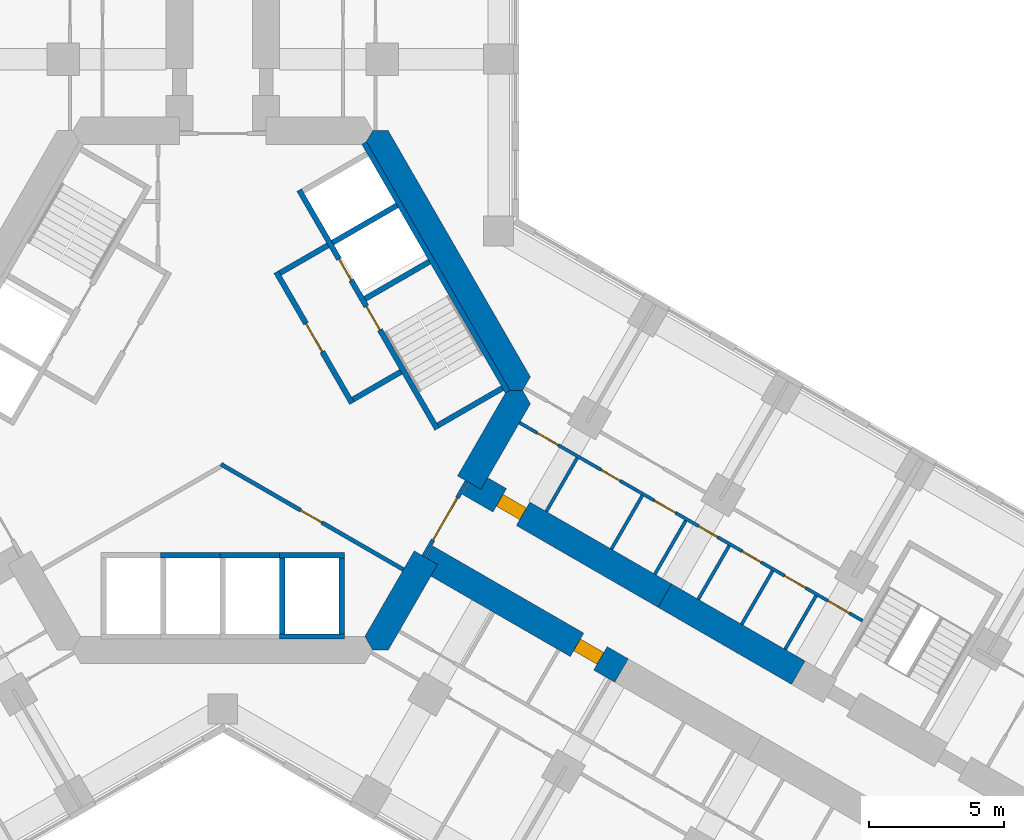
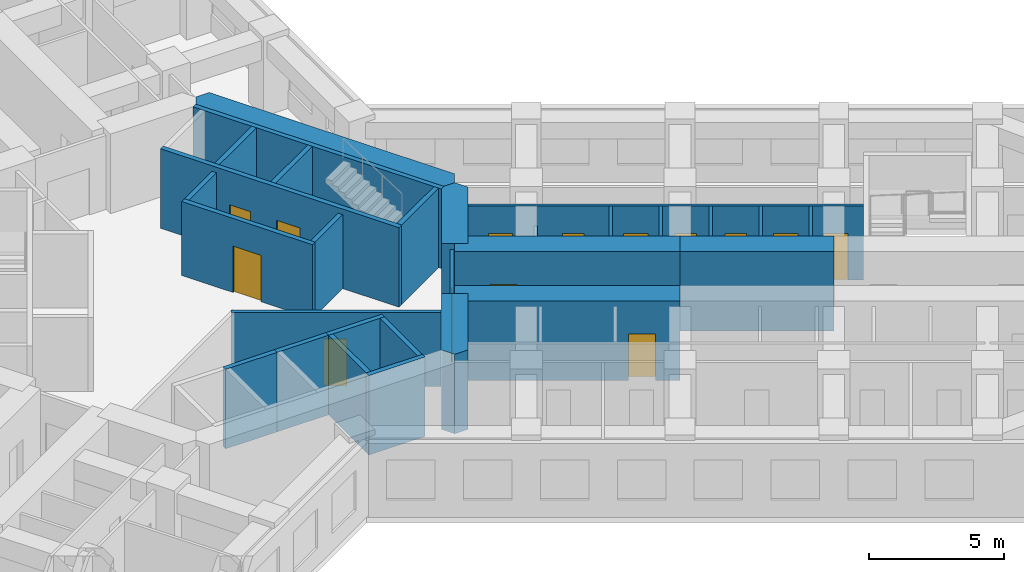
# One storey, part 13 of 18: 29 walls, 14 doors, 14 openings.
"""IFC4 building model written with IfcOpenShell, lengths in metres."""

from ifc_helpers import new_model, si_unit, direction, frame, frame_2d, origin, place, context, subcontext, project, spatial, polyline, rectangle, outline, extrude, material, layer, layer_set, type_object, element, fill, save


model = new_model("IFC4")

# Units and contexts
model_context = context("Model", 3, precision=1e-05, world=origin(), true_north=direction((0.0, 1.0)))
body_context = subcontext(model_context, "Body", "Model", "MODEL_VIEW")
ifc_project = project(units=[si_unit("LENGTHUNIT", "METRE"), si_unit("AREAUNIT", "SQUARE_METRE"), si_unit("VOLUMEUNIT", "CUBIC_METRE"), si_unit("PLANEANGLEUNIT", "RADIAN"), si_unit("MASSUNIT", "GRAM", prefix="KILO")], contexts=[model_context])

# Site, building, storey
site_placement = place(None, origin())
site = spatial("IfcSite", under=ifc_project, at=site_placement, CompositionType="ELEMENT")
building_placement = place(site_placement, origin())
building = spatial("IfcBuilding", under=site, at=building_placement, Name="Kosmar Iwan School Tower", CompositionType="ELEMENT")
storey_placement = place(building_placement, frame((0.0, 0.0, 25.199951171875)))
storey = spatial("IfcBuildingStorey", under=building, at=storey_placement, Name="L05", CompositionType="ELEMENT", Elevation=25.199951171875)

# Wall, opening, door
ifc_material_1 = material(Name="Gypsum board on steel studs, fire-rated", Category="steel")
ifc_layer_1 = layer(ifc_material_1, 0.14990234375)
ifc_layer_set_1 = layer_set([ifc_layer_1], Name="Core room partition 150")
wall_type_1 = type_object("IfcWallType", Name="Core room partition 150", PredefinedType="PARTITIONING", material=ifc_layer_set_1)
wall_1_placement = place(storey_placement, frame((-0.06494140625, -2.73388671875, 0.0), z_axis=(0.0, 0.0, 1.0), x_axis=(0.866030469089, -0.499991226532, 0.0)))
wall_1 = element("IfcWall", 1, at=wall_1_placement, inside=storey, type_object=wall_type_1, Name="Core room partition L05-CW4", PredefinedType="PARTITIONING", context=body_context, shape_type="SweptSolid", body=[
    extrude(rectangle(XDim=7.784423828125, YDim=0.14990234375, at=frame_2d((3.89208984375, 0.0))), origin(), (0.0, 0.0, 1.0), 3.35009765625),
])
opening_1_placement = place(wall_1_placement, frame((3.402099609375, 0.0, 0.0)))
opening_1 = element("IfcOpeningElement", 2, at=opening_1_placement, cuts=wall_1, Name="Opening D14", PredefinedType="OPENING", context=body_context, shape_type="SweptSolid", body=[
    extrude(rectangle(XDim=0.89990234375, YDim=2.10009765625, at=frame_2d((0.449951171875, 1.050048828125))), frame((0.0, 0.0869140625, 0.0), z_axis=(0.0, -1.0, 0.0), x_axis=(1.0, 0.0, 0.0)), (0.0, 0.0, 1.0), 0.173828125),
])
ifc_material_2 = material(Name="Timber fire door in steel frame", Category="steel")
door_type_1 = type_object("IfcDoorType", Name="Core room door 900x2100", OperationType="SINGLE_SWING_LEFT", PredefinedType="DOOR", material=ifc_material_2)
door_1_placement = place(opening_1_placement, origin())
door_1 = element("IfcDoor", 3, at=door_1_placement, inside=storey, type_object=door_type_1, Name="Bicycle repair room door L05 3", OperationType="SINGLE_SWING_LEFT", OverallHeight=2.10009765625, OverallWidth=0.89990234375, PredefinedType="DOOR", context=body_context, shape_type="SweptSolid", body=[
    extrude(rectangle(XDim=0.89990234375, YDim=2.10009765625, at=frame_2d((0.449951171875, 1.050048828125))), frame((0.0, 0.02490234375, 0.0), z_axis=(0.0, -1.0, 0.0), x_axis=(1.0, 0.0, 0.0)), (0.0, 0.0, 1.0), 0.050048828125),
])
fill(opening_1, door_1)

# Walls
ifc_material_3 = material(Name="Concrete C50/60", Category="concrete")
ifc_layer_2 = layer(ifc_material_3, 1.0)
ifc_layer_set_2 = layer_set([ifc_layer_2], Name="Core wall 1000")
wall_type_2 = type_object("IfcWallType", Name="Core wall 1000", PredefinedType="SHEAR", material=ifc_layer_set_2)
wall_2_placement = place(storey_placement, origin())
element("IfcWall", 4, at=wall_2_placement, inside=storey, type_object=wall_type_2, Name="Core wall F030", PredefinedType="SHEAR", context=body_context, shape_type="SweptSolid", body=[
    extrude(outline(polyline([(10.5078125, 0.0), (11.085205078125, 0.0), (11.373779296875, 0.5), (6.119873046875, 9.60009765625), (5.54248046875, 9.60009765625), (5.25390625, 9.10009765625), (10.5078125, 0.0)])), origin(), (0.0, 0.0, 1.0), 3.60009765625),
])
wall_3_placement = place(storey_placement, origin())
element("IfcWall", 5, at=wall_3_placement, inside=storey, type_object=wall_type_2, Name="Core wall F330a", PredefinedType="SHEAR", context=body_context, shape_type="SweptSolid", body=[
    extrude(outline(polyline([(5.54248046875, -9.60009765625), (6.119873046875, -9.60009765625), (7.94677734375, -6.435546875), (7.080810546875, -5.935546875), (5.25390625, -9.10009765625), (5.54248046875, -9.60009765625)])), origin(), (0.0, 0.0, 1.0), 3.60009765625),
])
wall_4_placement = place(storey_placement, origin())
element("IfcWall", 6, at=wall_4_placement, inside=storey, type_object=wall_type_2, Name="Core wall F330b", PredefinedType="SHEAR", context=body_context, shape_type="SweptSolid", body=[
    extrude(outline(polyline([(9.546875, -3.664306640625), (11.373779296875, -0.5), (11.085205078125, 0.0), (10.5078125, 0.0), (8.680908203125, -3.164306640625), (9.546875, -3.664306640625)])), origin(), (0.0, 0.0, 1.0), 3.60009765625),
])

# Wall, opening, door
ifc_material_4 = material(Name="Concrete C50/60", Category="concrete")
ifc_layer_3 = layer(ifc_material_4, 1.0)
ifc_layer_set_3 = layer_set([ifc_layer_3], Name="Corridor buttress wall 1000")
wall_type_3 = type_object("IfcWallType", Name="Corridor buttress wall 1000", PredefinedType="SHEAR", material=ifc_layer_set_3)
wall_5_placement = place(storey_placement, frame((9.11376953125, -3.414306640625, 0.0), z_axis=(0.0, 0.0, 1.0), x_axis=(0.866026859388, -0.499997478812, 0.0)))
wall_5 = element("IfcWall", 7, at=wall_5_placement, inside=storey, type_object=wall_type_3, Name="Corridor wall CL", PredefinedType="SHEAR", context=body_context, shape_type="SweptSolid", body=[
    extrude(rectangle(XDim=8.35009765625, YDim=1.0, at=frame_2d((4.175048828125, 0.0))), origin(), (0.0, 0.0, 1.0), 3.60009765625),
])
opening_2_placement = place(wall_5_placement, frame((1.300048828125, 0.0, 0.0)))
opening_2 = element("IfcOpeningElement", 8, at=opening_2_placement, cuts=wall_5, Name="Opening D1", PredefinedType="OPENING", context=body_context, shape_type="SweptSolid", body=[
    extrude(rectangle(XDim=1.0, YDim=2.10009765625, at=frame_2d((0.5, 1.050048828125))), frame((0.0, 0.511962890625, 0.0), z_axis=(0.0, -1.0, 0.0), x_axis=(1.0, 0.0, 0.0)), (0.0, 0.0, 1.0), 1.02392578125),
])
ifc_material_5 = material(Name="Timber fire door in steel frame", Category="steel")
door_type_2 = type_object("IfcDoorType", Name="Flat entrance door 1000x2100", OperationType="SINGLE_SWING_LEFT", PredefinedType="DOOR", material=ifc_material_5)
door_2_placement = place(opening_2_placement, origin())
door_2 = element("IfcDoor", 9, at=door_2_placement, inside=storey, type_object=door_type_2, Name="Flat L05-CL1 entrance door", OperationType="SINGLE_SWING_RIGHT", OverallHeight=2.10009765625, OverallWidth=1.0, PredefinedType="DOOR", context=body_context, shape_type="SweptSolid", body=[
    extrude(rectangle(XDim=1.0, YDim=2.10009765625, at=frame_2d((0.5, 1.050048828125))), frame((0.0, 0.25, 0.0), z_axis=(0.0, -1.0, 0.0), x_axis=(1.0, 0.0, 0.0)), (0.0, 0.0, 1.0), 0.5),
])
fill(opening_2, door_2)

# Wall
wall_6_placement = place(storey_placement, frame((16.34521484375, -7.58935546875, 0.0), z_axis=(0.0, 0.0, 1.0), x_axis=(0.866015111908, -0.50001782563, 0.0)))
element("IfcWall", 10, at=wall_6_placement, inside=storey, type_object=wall_type_3, Name="Corridor wall CL bay 2", PredefinedType="SHEAR", context=body_context, shape_type="SweptSolid", body=[
    extrude(rectangle(XDim=5.699951171875, YDim=1.0, at=frame_2d((2.85009765625, 0.0))), origin(), (0.0, 0.0, 1.0), 3.60009765625),
])

# Wall, opening, door
wall_7_placement = place(storey_placement, frame((7.513916015625, -6.185546875, 0.0), z_axis=(0.0, 0.0, 1.0), x_axis=(0.866019549707, -0.500010139422, 0.0)))
wall_7 = element("IfcWall", 11, at=wall_7_placement, inside=storey, type_object=wall_type_3, Name="Corridor wall CR", PredefinedType="SHEAR", context=body_context, shape_type="SweptSolid", body=[
    extrude(rectangle(XDim=8.349853515625, YDim=1.0, at=frame_2d((4.1748046875, 0.0))), origin(), (0.0, 0.0, 1.0), 3.60009765625),
])
opening_3_placement = place(wall_7_placement, frame((6.449951171875, 0.0, 0.0)))
opening_3 = element("IfcOpeningElement", 12, at=opening_3_placement, cuts=wall_7, Name="Opening D1", PredefinedType="OPENING", context=body_context, shape_type="SweptSolid", body=[
    extrude(rectangle(XDim=1.0, YDim=2.10009765625, at=frame_2d((0.5, 1.050048828125))), frame((0.0, 0.511962890625, 0.0), z_axis=(0.0, -1.0, 0.0), x_axis=(1.0, 0.0, 0.0)), (0.0, 0.0, 1.0), 1.02392578125),
])
door_3_placement = place(opening_3_placement, origin())
door_3 = element("IfcDoor", 13, at=door_3_placement, inside=storey, type_object=door_type_2, Name="Flat L05-CR1 entrance door", OperationType="SINGLE_SWING_RIGHT", OverallHeight=2.10009765625, OverallWidth=1.0, PredefinedType="DOOR", context=body_context, shape_type="SweptSolid", body=[
    extrude(rectangle(XDim=1.0, YDim=2.10009765625, at=frame_2d((0.5, 1.050048828125))), frame((0.0, 0.25, 0.0), z_axis=(0.0, -1.0, 0.0), x_axis=(1.0, 0.0, 0.0)), (0.0, 0.0, 1.0), 0.5),
])
fill(opening_3, door_3)

ifc_material_6 = material(Name="Steel framed glazed screen", Category="steel")
ifc_layer_4 = layer(ifc_material_6, 0.14990234375)
ifc_layer_set_4 = layer_set([ifc_layer_4], Name="Corridor screen wall 150")
wall_type_4 = type_object("IfcWallType", Name="Corridor screen wall 150", PredefinedType="PARTITIONING", material=ifc_layer_set_4)
wall_8_placement = place(storey_placement, frame((7.42724609375, -6.1357421875, 0.0), z_axis=(0.0, 0.0, 1.0), x_axis=(0.499995408039, 0.866028054938, 0.0)))
wall_8 = element("IfcWall", 14, at=wall_8_placement, inside=storey, type_object=wall_type_4, Name="Corridor screen C L05", PredefinedType="PARTITIONING", context=body_context, shape_type="SweptSolid", body=[
    extrude(rectangle(XDim=3.2001953125, YDim=0.14990234375, at=frame_2d((1.60009765625, 0.0))), origin(), (0.0, 0.0, 1.0), 3.35009765625),
])
opening_4_placement = place(wall_8_placement, frame((0.699951171875, 0.0, 0.0)))
opening_4 = element("IfcOpeningElement", 15, at=opening_4_placement, cuts=wall_8, Name="Opening D9", PredefinedType="OPENING", context=body_context, shape_type="SweptSolid", body=[
    extrude(rectangle(XDim=1.800048828125, YDim=2.10009765625, at=frame_2d((0.89990234375, 1.050048828125))), frame((0.0, 0.0869140625, 0.0), z_axis=(0.0, -1.0, 0.0), x_axis=(1.0, 0.0, 0.0)), (0.0, 0.0, 1.0), 0.173828125),
])
ifc_material_7 = material(Name="Steel framed glazed smoke door", Category="steel")
door_type_3 = type_object("IfcDoorType", Name="Corridor smoke door pair 1800x2100", OperationType="DOUBLE_DOOR_DOUBLE_SWING", PredefinedType="DOOR", material=ifc_material_7)
door_4_placement = place(opening_4_placement, origin())
door_4 = element("IfcDoor", 16, at=door_4_placement, inside=storey, type_object=door_type_3, Name="Corridor doors C L05", OperationType="DOUBLE_DOOR_DOUBLE_SWING", OverallHeight=2.10009765625, OverallWidth=1.800048828125, PredefinedType="DOOR", context=body_context, shape_type="SweptSolid", body=[
    extrude(rectangle(XDim=1.800048828125, YDim=2.10009765625, at=frame_2d((0.89990234375, 1.050048828125))), frame((0.0, 0.02490234375, 0.0), z_axis=(0.0, -1.0, 0.0), x_axis=(1.0, 0.0, 0.0)), (0.0, 0.0, 1.0), 0.050048828125),
])
fill(opening_4, door_4)

# Wall, openings, doors
ifc_material_8 = material(Name="Gypsum board on steel studs", Category="steel")
ifc_layer_5 = layer(ifc_material_8, 0.1201171875)
ifc_layer_set_5 = layer_set([ifc_layer_5], Name="Dwelling partition 120")
wall_type_5 = type_object("IfcWallType", Name="Dwelling partition 120", PredefinedType="PARTITIONING", material=ifc_layer_set_5)
wall_9_placement = place(storey_placement, frame((10.971923828125, -1.1962890625, 0.0), z_axis=(0.0, 0.0, 1.0), x_axis=(0.866026568746, -0.499997982221, 0.0)))
wall_9 = element("IfcWall", 17, at=wall_9_placement, inside=storey, type_object=wall_type_5, Name="Partition L05-CL1-W1", PredefinedType="PARTITIONING", context=body_context, shape_type="SweptSolid", body=[
    extrude(rectangle(XDim=14.64990234375, YDim=0.1201171875, at=frame_2d((7.324951171875, 0.0))), origin(), (0.0, 0.0, 1.0), 3.35009765625),
])
opening_5_placement = place(wall_9_placement, frame((0.75, 0.0, 0.0)))
opening_5 = element("IfcOpeningElement", 18, at=opening_5_placement, cuts=wall_9, Name="Opening D2", PredefinedType="OPENING", context=body_context, shape_type="SweptSolid", body=[
    extrude(rectangle(XDim=0.89990234375, YDim=2.10009765625, at=frame_2d((0.449951171875, 1.050048828125))), frame((0.0, 0.072021484375, 0.0), z_axis=(0.0, -1.0, 0.0), x_axis=(1.0, 0.0, 0.0)), (0.0, 0.0, 1.0), 0.14404296875),
])
opening_6_placement = place(wall_9_placement, frame((3.490478515625, 0.0, 0.0)))
opening_6 = element("IfcOpeningElement", 19, at=opening_6_placement, cuts=wall_9, Name="Opening D3", PredefinedType="OPENING", context=body_context, shape_type="SweptSolid", body=[
    extrude(rectangle(XDim=0.800048828125, YDim=2.10009765625, at=frame_2d((0.39990234375, 1.050048828125))), frame((0.0, 0.072021484375, 0.0), z_axis=(0.0, -1.0, 0.0), x_axis=(1.0, 0.0, 0.0)), (0.0, 0.0, 1.0), 0.14404296875),
])
opening_7_placement = place(wall_9_placement, frame((5.7578125, 0.0, 0.0)))
opening_7 = element("IfcOpeningElement", 20, at=opening_7_placement, cuts=wall_9, Name="Opening D2", PredefinedType="OPENING", context=body_context, shape_type="SweptSolid", body=[
    extrude(rectangle(XDim=0.89990234375, YDim=2.10009765625, at=frame_2d((0.449951171875, 1.050048828125))), frame((0.0, 0.072021484375, 0.0), z_axis=(0.0, -1.0, 0.0), x_axis=(1.0, 0.0, 0.0)), (0.0, 0.0, 1.0), 0.14404296875),
])
opening_8_placement = place(wall_9_placement, frame((7.66162109375, 0.0, 0.0)))
opening_8 = element("IfcOpeningElement", 21, at=opening_8_placement, cuts=wall_9, Name="Opening D3", PredefinedType="OPENING", context=body_context, shape_type="SweptSolid", body=[
    extrude(rectangle(XDim=0.800048828125, YDim=2.10009765625, at=frame_2d((0.39990234375, 1.050048828125))), frame((0.0, 0.072021484375, 0.0), z_axis=(0.0, -1.0, 0.0), x_axis=(1.0, 0.0, 0.0)), (0.0, 0.0, 1.0), 0.14404296875),
])
opening_9_placement = place(wall_9_placement, frame((9.515380859375, 0.0, 0.0)))
opening_9 = element("IfcOpeningElement", 22, at=opening_9_placement, cuts=wall_9, Name="Opening D3", PredefinedType="OPENING", context=body_context, shape_type="SweptSolid", body=[
    extrude(rectangle(XDim=0.800048828125, YDim=2.10009765625, at=frame_2d((0.39990234375, 1.050048828125))), frame((0.0, 0.072021484375, 0.0), z_axis=(0.0, -1.0, 0.0), x_axis=(1.0, 0.0, 0.0)), (0.0, 0.0, 1.0), 0.14404296875),
])
opening_10_placement = place(wall_9_placement, frame((11.3193359375, 0.0, 0.0)))
opening_10 = element("IfcOpeningElement", 23, at=opening_10_placement, cuts=wall_9, Name="Opening D2", PredefinedType="OPENING", context=body_context, shape_type="SweptSolid", body=[
    extrude(rectangle(XDim=0.89990234375, YDim=2.10009765625, at=frame_2d((0.449951171875, 1.050048828125))), frame((0.0, 0.072021484375, 0.0), z_axis=(0.0, -1.0, 0.0), x_axis=(1.0, 0.0, 0.0)), (0.0, 0.0, 1.0), 0.14404296875),
])
opening_11_placement = place(wall_9_placement, frame((13.173095703125, 0.0, 0.0)))
opening_11 = element("IfcOpeningElement", 24, at=opening_11_placement, cuts=wall_9, Name="Opening D2", PredefinedType="OPENING", context=body_context, shape_type="SweptSolid", body=[
    extrude(rectangle(XDim=0.89990234375, YDim=2.10009765625, at=frame_2d((0.449951171875, 1.050048828125))), frame((0.0, 0.072021484375, 0.0), z_axis=(0.0, -1.0, 0.0), x_axis=(1.0, 0.0, 0.0)), (0.0, 0.0, 1.0), 0.14404296875),
])
ifc_material_9 = material(Name="Timber door in timber frame", Category="wood")
door_type_4 = type_object("IfcDoorType", Name="Internal door 900x2100", OperationType="SINGLE_SWING_LEFT", PredefinedType="DOOR", material=ifc_material_9)
door_5_placement = place(opening_5_placement, origin())
door_5 = element("IfcDoor", 25, at=door_5_placement, inside=storey, type_object=door_type_4, Name="Entrance hall door L05-CL1-S1", OperationType="SINGLE_SWING_LEFT", OverallHeight=2.10009765625, OverallWidth=0.89990234375, PredefinedType="DOOR", context=body_context, shape_type="SweptSolid", body=[
    extrude(rectangle(XDim=0.89990234375, YDim=2.10009765625, at=frame_2d((0.449951171875, 1.050048828125))), frame((0.0, 0.02490234375, 0.0), z_axis=(0.0, -1.0, 0.0), x_axis=(1.0, 0.0, 0.0)), (0.0, 0.0, 1.0), 0.050048828125),
])
fill(opening_5, door_5)
door_6_placement = place(opening_7_placement, origin())
door_6 = element("IfcDoor", 26, at=door_6_placement, inside=storey, type_object=door_type_4, Name="Pantry door L05-CL1-S3", OperationType="SINGLE_SWING_LEFT", OverallHeight=2.10009765625, OverallWidth=0.89990234375, PredefinedType="DOOR", context=body_context, shape_type="SweptSolid", body=[
    extrude(rectangle(XDim=0.89990234375, YDim=2.10009765625, at=frame_2d((0.449951171875, 1.050048828125))), frame((0.0, 0.02490234375, 0.0), z_axis=(0.0, -1.0, 0.0), x_axis=(1.0, 0.0, 0.0)), (0.0, 0.0, 1.0), 0.050048828125),
])
fill(opening_7, door_6)
door_7_placement = place(opening_10_placement, origin())
door_7 = element("IfcDoor", 27, at=door_7_placement, inside=storey, type_object=door_type_4, Name="Utility room door L05-CL1-S6", OperationType="SINGLE_SWING_RIGHT", OverallHeight=2.10009765625, OverallWidth=0.89990234375, PredefinedType="DOOR", context=body_context, shape_type="SweptSolid", body=[
    extrude(rectangle(XDim=0.89990234375, YDim=2.10009765625, at=frame_2d((0.449951171875, 1.050048828125))), frame((0.0, 0.02490234375, 0.0), z_axis=(0.0, -1.0, 0.0), x_axis=(1.0, 0.0, 0.0)), (0.0, 0.0, 1.0), 0.050048828125),
])
fill(opening_10, door_7)
door_8_placement = place(opening_11_placement, frame((0.89990234375, 0.0, 0.0), z_axis=(0.0, 0.0, 1.0), x_axis=(-1.0, 0.0, 0.0)))
door_8 = element("IfcDoor", 28, at=door_8_placement, inside=storey, type_object=door_type_4, Name="Dressing room door L05-CL1-S7", OperationType="SINGLE_SWING_LEFT", OverallHeight=2.10009765625, OverallWidth=0.89990234375, PredefinedType="DOOR", context=body_context, shape_type="SweptSolid", body=[
    extrude(rectangle(XDim=0.89990234375, YDim=2.10009765625, at=frame_2d((0.449951171875, 1.050048828125))), frame((0.0, 0.02490234375, 0.0), z_axis=(0.0, -1.0, 0.0), x_axis=(1.0, 0.0, 0.0)), (0.0, 0.0, 1.0), 0.050048828125),
])
fill(opening_11, door_8)
ifc_material_10 = material(Name="Timber door in timber frame", Category="wood")
door_type_5 = type_object("IfcDoorType", Name="Sanitary room door 800x2100", OperationType="SINGLE_SWING_LEFT", PredefinedType="DOOR", material=ifc_material_10)
door_9_placement = place(opening_6_placement, origin())
door_9 = element("IfcDoor", 29, at=door_9_placement, inside=storey, type_object=door_type_5, Name="Bathroom door L05-CL1-S2", OperationType="SINGLE_SWING_LEFT", OverallHeight=2.10009765625, OverallWidth=0.800048828125, PredefinedType="DOOR", context=body_context, shape_type="SweptSolid", body=[
    extrude(rectangle(XDim=0.800048828125, YDim=2.10009765625, at=frame_2d((0.39990234375, 1.050048828125))), frame((0.0, 0.02490234375, 0.0), z_axis=(0.0, -1.0, 0.0), x_axis=(1.0, 0.0, 0.0)), (0.0, 0.0, 1.0), 0.050048828125),
])
fill(opening_6, door_9)
door_10_placement = place(opening_8_placement, origin())
door_10 = element("IfcDoor", 30, at=door_10_placement, inside=storey, type_object=door_type_5, Name="WC door L05-CL1-S4", OperationType="SINGLE_SWING_RIGHT", OverallHeight=2.10009765625, OverallWidth=0.800048828125, PredefinedType="DOOR", context=body_context, shape_type="SweptSolid", body=[
    extrude(rectangle(XDim=0.800048828125, YDim=2.10009765625, at=frame_2d((0.39990234375, 1.050048828125))), frame((0.0, 0.02490234375, 0.0), z_axis=(0.0, -1.0, 0.0), x_axis=(1.0, 0.0, 0.0)), (0.0, 0.0, 1.0), 0.050048828125),
])
fill(opening_8, door_10)
door_11_placement = place(opening_9_placement, origin())
door_11 = element("IfcDoor", 31, at=door_11_placement, inside=storey, type_object=door_type_5, Name="Store door L05-CL1-S5", OperationType="SINGLE_SWING_RIGHT", OverallHeight=2.10009765625, OverallWidth=0.800048828125, PredefinedType="DOOR", context=body_context, shape_type="SweptSolid", body=[
    extrude(rectangle(XDim=0.800048828125, YDim=2.10009765625, at=frame_2d((0.39990234375, 1.050048828125))), frame((0.0, 0.02490234375, 0.0), z_axis=(0.0, -1.0, 0.0), x_axis=(1.0, 0.0, 0.0)), (0.0, 0.0, 1.0), 0.050048828125),
])
fill(opening_9, door_11)

# Walls
wall_10_placement = place(storey_placement, frame((11.9619140625, -4.4814453125, 0.0), z_axis=(0.0, 0.0, 1.0), x_axis=(0.499968531483, 0.866043571379, 0.0)))
element("IfcWall", 32, at=wall_10_placement, inside=storey, type_object=wall_type_5, Name="Partition L05-CL1-Y1", PredefinedType="PARTITIONING", context=body_context, shape_type="SweptSolid", body=[
    extrude(rectangle(XDim=2.290283203125, YDim=0.1201171875, at=frame_2d((1.14501953125, 0.0))), origin(), (0.0, 0.0, 1.0), 2.449951171875),
])
wall_11_placement = place(storey_placement, frame((14.3701171875, -5.871826171875, 0.0), z_axis=(0.0, 0.0, 1.0), x_axis=(0.499968531483, 0.866043571379, 0.0)))
element("IfcWall", 33, at=wall_11_placement, inside=storey, type_object=wall_type_5, Name="Partition L05-CL1-Y2", PredefinedType="PARTITIONING", context=body_context, shape_type="SweptSolid", body=[
    extrude(rectangle(XDim=2.290283203125, YDim=0.1201171875, at=frame_2d((1.14501953125, 0.0))), origin(), (0.0, 0.0, 1.0), 3.35009765625),
])
for number, where, z_axis, x_axis, name in (
    (34, (15.9755859375, -6.798583984375, 0.0), (0.0, 0.0, 1.0), (0.500014693593, 0.866016920268, 0.0), "Partition L05-CL1-Y3"),
    (35, (17.5810546875, -7.7255859375, 0.0), (0.0, 0.0, 1.0), (0.500014693593, 0.866016920268, 0.0), "Partition L05-CL1-Y4"),
):
    element("IfcWall", number, at=place(storey_placement, frame(where, z_axis=z_axis, x_axis=x_axis)), inside=storey, type_object=wall_type_5, Name=name, PredefinedType="PARTITIONING", context=body_context, shape_type="SweptSolid", body=[
        extrude(rectangle(XDim=2.2900390625, YDim=0.1201171875, at=frame_2d((1.14501953125, 0.0))), origin(), (0.0, 0.0, 1.0), 3.35009765625),
    ])
wall_12_placement = place(storey_placement, frame((19.1865234375, -8.652587890625, 0.0), z_axis=(0.0, 0.0, 1.0), x_axis=(0.499968531483, 0.866043571379, 0.0)))
element("IfcWall", 36, at=wall_12_placement, inside=storey, type_object=wall_type_5, Name="Partition L05-CL1-Y5", PredefinedType="PARTITIONING", context=body_context, shape_type="SweptSolid", body=[
    extrude(rectangle(XDim=2.290283203125, YDim=0.1201171875, at=frame_2d((1.14501953125, 0.0))), origin(), (0.0, 0.0, 1.0), 3.35009765625),
])
wall_13_placement = place(storey_placement, frame((20.7919921875, -9.579345703125, 0.0), z_axis=(0.0, 0.0, 1.0), x_axis=(0.500014693593, 0.866016920268, 0.0)))
element("IfcWall", 37, at=wall_13_placement, inside=storey, type_object=wall_type_5, Name="Partition L05-CL1-Y6", PredefinedType="PARTITIONING", context=body_context, shape_type="SweptSolid", body=[
    extrude(rectangle(XDim=2.2900390625, YDim=0.1201171875, at=frame_2d((1.14501953125, 0.0))), origin(), (0.0, 0.0, 1.0), 3.35009765625),
])

# Wall, opening, door
ifc_material_11 = material(Name="Concrete block masonry", Category="masonry")
ifc_layer_6 = layer(ifc_material_11, 0.199951171875)
ifc_layer_set_6 = layer_set([ifc_layer_6], Name="Fire lobby wall 200")
wall_type_6 = type_object("IfcWallType", Name="Fire lobby wall 200", PredefinedType="PARTITIONING", material=ifc_layer_set_6)
wall_14_placement = place(storey_placement, frame((4.777587890625, -0.474853515625, 0.0), z_axis=(0.0, 0.0, 1.0), x_axis=(-0.500016814911, 0.866015695474, 0.0)))
wall_14 = element("IfcWall", 38, at=wall_14_placement, inside=storey, type_object=wall_type_6, Name="Firefighting lobby wall ST1", PredefinedType="PARTITIONING", context=body_context, shape_type="SweptSolid", body=[
    extrude(rectangle(XDim=5.599853515625, YDim=0.199951171875, at=frame_2d((2.7998046875, 0.0))), origin(), (0.0, 0.0, 1.0), 3.35009765625),
])
opening_12_placement = place(wall_14_placement, frame((2.199951171875, 0.0, 0.0)))
opening_12 = element("IfcOpeningElement", 39, at=opening_12_placement, cuts=wall_14, Name="Opening D7", PredefinedType="OPENING", context=body_context, shape_type="SweptSolid", body=[
    extrude(rectangle(XDim=1.199951171875, YDim=2.10009765625, at=frame_2d((0.60009765625, 1.050048828125))), frame((0.0, 0.112060546875, 0.0), z_axis=(0.0, -1.0, 0.0), x_axis=(1.0, 0.0, 0.0)), (0.0, 0.0, 1.0), 0.223876953125),
])
ifc_material_12 = material(Name="Steel fire door", Category="steel")
door_type_6 = type_object("IfcDoorType", Name="Fire lobby door 1200x2100", OperationType="SINGLE_SWING_LEFT", PredefinedType="DOOR", material=ifc_material_12)
door_12_placement = place(opening_12_placement, origin())
door_12 = element("IfcDoor", 40, at=door_12_placement, inside=storey, type_object=door_type_6, Name="Firefighting lobby door ST1 L05", OperationType="SINGLE_SWING_LEFT", OverallHeight=2.10009765625, OverallWidth=1.199951171875, PredefinedType="DOOR", context=body_context, shape_type="SweptSolid", body=[
    extrude(rectangle(XDim=1.199951171875, YDim=2.10009765625, at=frame_2d((0.60009765625, 1.050048828125))), frame((0.0, 0.02490234375, 0.0), z_axis=(0.0, -1.0, 0.0), x_axis=(1.0, 0.0, 0.0)), (0.0, 0.0, 1.0), 0.050048828125),
])
fill(opening_12, door_12)

# Walls
wall_15_placement = place(storey_placement, frame((4.814208984375, -0.33837890625, 0.0), z_axis=(0.0, 0.0, 1.0), x_axis=(0.865969381856, 0.500097020274, 0.0)))
element("IfcWall", 41, at=wall_15_placement, inside=storey, type_object=wall_type_6, Name="Firefighting lobby wall ST1", PredefinedType="PARTITIONING", context=body_context, shape_type="SweptSolid", body=[
    extrude(rectangle(XDim=2.0498046875, YDim=0.199951171875, at=frame_2d((1.02490234375, 0.0))), origin(), (0.0, 0.0, 1.0), 3.35009765625),
])
wall_16_placement = place(storey_placement, frame((2.114013671875, 4.33837890625, 0.0), z_axis=(0.0, 0.0, 1.0), x_axis=(0.866050731258, 0.499956128963, 0.0)))
element("IfcWall", 42, at=wall_16_placement, inside=storey, type_object=wall_type_6, Name="Firefighting lobby wall ST1", PredefinedType="PARTITIONING", context=body_context, shape_type="SweptSolid", body=[
    extrude(rectangle(XDim=2.050048828125, YDim=0.199951171875, at=frame_2d((1.02490234375, 0.0))), origin(), (0.0, 0.0, 1.0), 3.35009765625),
])

# Wall, openings, doors
ifc_material_13 = material(Name="Concrete C50/60", Category="concrete")
ifc_layer_7 = layer(ifc_material_13, 0.199951171875)
ifc_layer_set_7 = layer_set([ifc_layer_7], Name="Lift shaft wall 200")
wall_type_7 = type_object("IfcWallType", Name="Lift shaft wall 200", PredefinedType="SHEAR", material=ifc_layer_set_7)
wall_17_placement = place(storey_placement, frame((7.926025390625, -1.42822265625, 0.0), z_axis=(0.0, 0.0, 1.0), x_axis=(-0.499998023675, 0.866026544813, 0.0)))
wall_17 = element("IfcWall", 43, at=wall_17_placement, inside=storey, type_object=wall_type_7, Name="Lift and stair front wall AC", PredefinedType="SHEAR", context=body_context, shape_type="SweptSolid", body=[
    extrude(rectangle(XDim=10.19970703125, YDim=0.199951171875, at=frame_2d((5.099853515625, 0.0))), origin(), (0.0, 0.0, 1.0), 3.60009765625),
])
opening_13_placement = place(wall_17_placement, frame((6.35009765625, 0.0, 0.0)))
opening_13 = element("IfcOpeningElement", 44, at=opening_13_placement, cuts=wall_17, Name="Opening LD2", PredefinedType="OPENING", context=body_context, shape_type="SweptSolid", body=[
    extrude(rectangle(XDim=0.89990234375, YDim=2.10009765625, at=frame_2d((0.449951171875, 1.050048828125))), frame((0.0, 0.112060546875, 0.0), z_axis=(0.0, -1.0, 0.0), x_axis=(1.0, 0.0, 0.0)), (0.0, 0.0, 1.0), 0.223876953125),
])
opening_14_placement = place(wall_17_placement, frame((4.22998046875, 0.0, 0.0)))
opening_14 = element("IfcOpeningElement", 45, at=opening_14_placement, cuts=wall_17, Name="Opening D6", PredefinedType="OPENING", context=body_context, shape_type="SweptSolid", body=[
    extrude(rectangle(XDim=1.0, YDim=2.10009765625, at=frame_2d((0.5, 1.050048828125))), frame((0.0, 0.112060546875, 0.0), z_axis=(0.0, -1.0, 0.0), x_axis=(1.0, 0.0, 0.0)), (0.0, 0.0, 1.0), 0.223876953125),
])
ifc_material_14 = material(Name="Stainless steel sliding lift door", Category="steel")
door_type_7 = type_object("IfcDoorType", Name="Firefighting lift landing door 900x2100", OperationType="SLIDING_TO_LEFT", PredefinedType="DOOR", material=ifc_material_14)
door_13_placement = place(opening_13_placement, origin())
door_13 = element("IfcDoor", 46, at=door_13_placement, inside=storey, type_object=door_type_7, Name="Lift FF1 landing door L05", OperationType="SLIDING_TO_LEFT", OverallHeight=2.10009765625, OverallWidth=0.89990234375, PredefinedType="DOOR", context=body_context, shape_type="SweptSolid", body=[
    extrude(rectangle(XDim=0.89990234375, YDim=2.10009765625, at=frame_2d((0.449951171875, 1.050048828125))), frame((0.0, 0.02490234375, 0.0), z_axis=(0.0, -1.0, 0.0), x_axis=(1.0, 0.0, 0.0)), (0.0, 0.0, 1.0), 0.050048828125),
])
fill(opening_13, door_13)
ifc_material_15 = material(Name="Steel fire door", Category="steel")
door_type_8 = type_object("IfcDoorType", Name="Stair door 1000x2100", OperationType="SINGLE_SWING_LEFT", PredefinedType="DOOR", material=ifc_material_15)
door_14_placement = place(opening_14_placement, origin())
door_14 = element("IfcDoor", 47, at=door_14_placement, inside=storey, type_object=door_type_8, Name="Stair ST1 door L05", OperationType="SINGLE_SWING_LEFT", OverallHeight=2.10009765625, OverallWidth=1.0, PredefinedType="DOOR", context=body_context, shape_type="SweptSolid", body=[
    extrude(rectangle(XDim=1.0, YDim=2.10009765625, at=frame_2d((0.5, 1.050048828125))), frame((0.0, 0.02490234375, 0.0), z_axis=(0.0, -1.0, 0.0), x_axis=(1.0, 0.0, 0.0)), (0.0, 0.0, 1.0), 0.050048828125),
])
fill(opening_14, door_14)

# Walls
wall_18_placement = place(storey_placement, frame((10.53662109375, -0.050048828125, 0.0), z_axis=(0.0, 0.0, 1.0), x_axis=(-0.499994998079, 0.866028291626, 0.0)))
element("IfcWall", 48, at=wall_18_placement, inside=storey, type_object=wall_type_7, Name="Lift and stair back wall AC", PredefinedType="SHEAR", context=body_context, shape_type="SweptSolid", body=[
    extrude(rectangle(XDim=10.623046875, YDim=0.199951171875, at=frame_2d((5.3115234375, 0.0))), origin(), (0.0, 0.0, 1.0), 3.60009765625),
])
wall_19_placement = place(storey_placement, frame((4.062744140625, 5.46337890625, 0.0), z_axis=(0.0, 0.0, 1.0), x_axis=(0.866027397988, 0.499996545922, 0.0)))
element("IfcWall", 49, at=wall_19_placement, inside=storey, type_object=wall_type_7, Name="Lift shaft wall AC 1", PredefinedType="SHEAR", context=body_context, shape_type="SweptSolid", body=[
    extrude(rectangle(XDim=2.75, YDim=0.199951171875, at=frame_2d((1.375, 0.0))), origin(), (0.0, 0.0, 1.0), 3.60009765625),
])
wall_20_placement = place(storey_placement, frame((-2.300048828125, -6.10009765625, 0.0), z_axis=(0.0, 0.0, 1.0), x_axis=(1.0, 0.0, 0.0)))
element("IfcWall", 50, at=wall_20_placement, inside=storey, type_object=wall_type_7, Name="Lift and stair front wall BC", PredefinedType="SHEAR", context=body_context, shape_type="SweptSolid", body=[
    extrude(rectangle(XDim=2.199951171875, YDim=0.199951171875, at=frame_2d((1.10009765625, 0.0))), origin(), (0.0, 0.0, 1.0), 3.60009765625),
])
wall_21_placement = place(storey_placement, frame((-0.10009765625, -6.10009765625, 0.0), z_axis=(0.0, 0.0, 1.0), x_axis=(1.0, 0.0, 0.0)))
element("IfcWall", 51, at=wall_21_placement, inside=storey, type_object=wall_type_7, Name="Lift and stair front wall BC", PredefinedType="SHEAR", context=body_context, shape_type="SweptSolid", body=[
    extrude(rectangle(XDim=2.2001953125, YDim=0.199951171875, at=frame_2d((1.10009765625, 0.0))), origin(), (0.0, 0.0, 1.0), 3.60009765625),
])
for number, where, z_axis, x_axis, name in (
    (52, (2.10009765625, -6.10009765625, 0.0), (0.0, 0.0, 1.0), (1.0, 0.0, 0.0), "Lift and stair front wall BC"),
    (53, (2.10009765625, -9.10009765625, 0.0), (0.0, 0.0, 1.0), (1.0, 0.0, 0.0), "Lift and stair back wall BC"),
):
    element("IfcWall", number, at=place(storey_placement, frame(where, z_axis=z_axis, x_axis=x_axis)), inside=storey, type_object=wall_type_7, Name=name, PredefinedType="SHEAR", context=body_context, shape_type="SweptSolid", body=[
        extrude(rectangle(XDim=2.39990234375, YDim=0.199951171875, at=frame_2d((1.199951171875, 0.0))), origin(), (0.0, 0.0, 1.0), 3.60009765625),
    ])
for number, where, z_axis, x_axis, name in (
    (54, (2.199951171875, -6.199951171875, 0.0), (0.0, 0.0, 1.0), (0.0, -1.0, 0.0), "Lift shaft wall BC 3"),
    (55, (4.39990234375, -6.199951171875, 0.0), (0.0, 0.0, 1.0), (0.0, -1.0, 0.0), "Lift shaft wall BC 4"),
):
    element("IfcWall", number, at=place(storey_placement, frame(where, z_axis=z_axis, x_axis=x_axis)), inside=storey, type_object=wall_type_7, Name=name, PredefinedType="SHEAR", context=body_context, shape_type="SweptSolid", body=[
        extrude(rectangle(XDim=2.800048828125, YDim=0.199951171875, at=frame_2d((1.39990234375, 0.0))), origin(), (0.0, 0.0, 1.0), 3.60009765625),
    ])
ifc_material_16 = material(Name="Concrete C50/60", Category="concrete")
ifc_layer_8 = layer(ifc_material_16, 0.199951171875)
ifc_layer_set_8 = layer_set([ifc_layer_8], Name="Stair enclosure wall 200")
wall_type_8 = type_object("IfcWallType", Name="Stair enclosure wall 200", PredefinedType="SHEAR", material=ifc_layer_set_8)
for number, where, z_axis, x_axis, name in (
    (56, (7.962646484375, -1.291748046875, 0.0), (0.0, 0.0, 1.0), (0.866027397988, 0.499996545922, 0.0), "Stair ST1 wall"),
    (57, (5.2626953125, 3.384765625, 0.0), (0.0, 0.0, 1.0), (0.866027397988, 0.499996545922, 0.0), "Stair ST1 wall"),
):
    element("IfcWall", number, at=place(storey_placement, frame(where, z_axis=z_axis, x_axis=x_axis)), inside=storey, type_object=wall_type_8, Name=name, PredefinedType="SHEAR", context=body_context, shape_type="SweptSolid", body=[
        extrude(rectangle(XDim=2.75, YDim=0.199951171875, at=frame_2d((1.375, 0.0))), origin(), (0.0, 0.0, 1.0), 3.60009765625),
    ])

save(model, "model.ifc")
